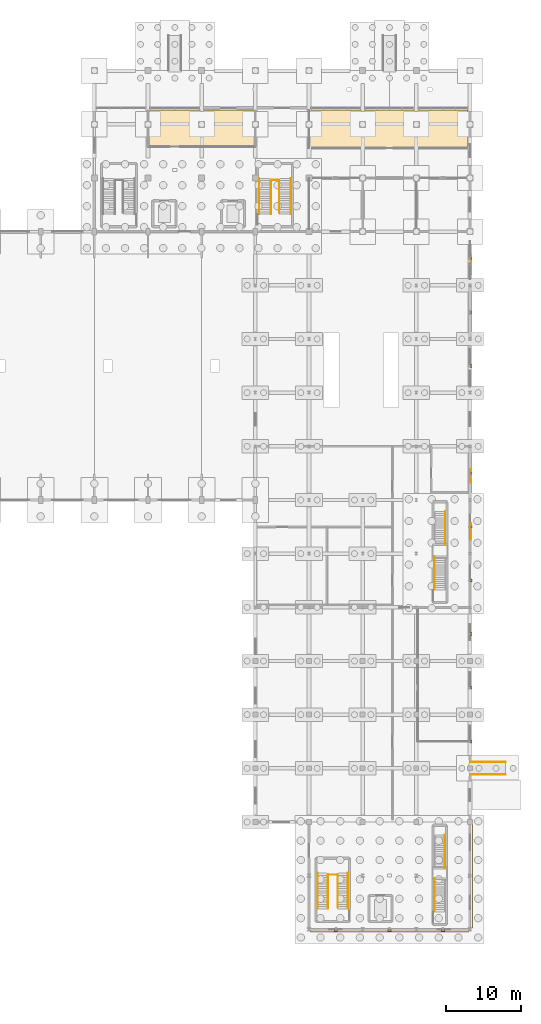
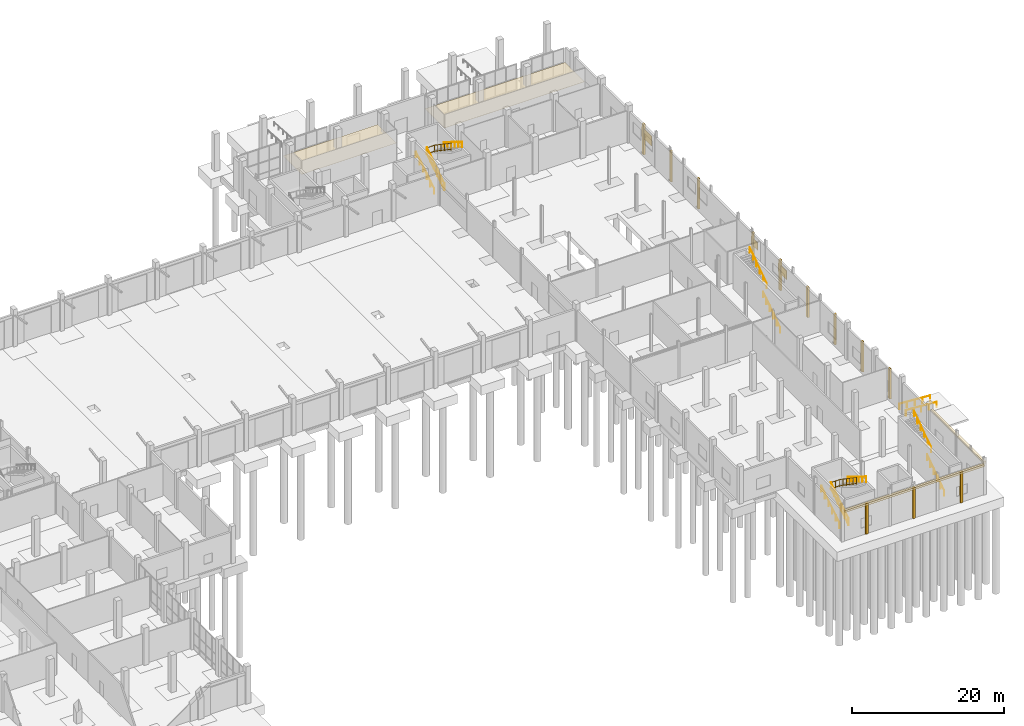
# One storey, part 43 of 45: 16 coverings, 16 railings, 3 shading devices.
"""IFC4 building model written with IfcOpenShell, lengths in metres."""

from ifc_helpers import new_model, si_unit, direction, frame, origin, origin_2d, place, context, subcontext, project, spatial, polyline, rectangle, circle, outline, extrude, material, layer, layer_set, type_object, element, save


model = new_model("IFC4")

# Units and contexts
model_context = context("Model", 3, precision=1e-05, world=origin(), true_north=direction((0.0, 1.0)))
body_context = subcontext(model_context, "Body", "Model", "MODEL_VIEW")
ifc_project = project(units=[si_unit("LENGTHUNIT", "METRE"), si_unit("AREAUNIT", "SQUARE_METRE"), si_unit("VOLUMEUNIT", "CUBIC_METRE"), si_unit("PLANEANGLEUNIT", "RADIAN"), si_unit("MASSUNIT", "GRAM", prefix="KILO")], contexts=[model_context])

# Site, building, storey
site_placement = place(None, origin())
site = spatial("IfcSite", under=ifc_project, at=site_placement, CompositionType="ELEMENT")
building_placement = place(site_placement, origin())
building = spatial("IfcBuilding", under=site, at=building_placement, Name="Yarey Park Central Fire Station", CompositionType="ELEMENT")
storey_placement = place(building_placement, origin())
storey = spatial("IfcBuildingStorey", under=building, at=storey_placement, Name="L01", CompositionType="ELEMENT", Elevation=0.0)

# Coverings
ifc_material_1 = material(Name="Honed Coral-Limestone Cladding", Category="masonry")
ifc_layer_1 = layer(ifc_material_1, 0.044921875)
ifc_layer_set_1 = layer_set([ifc_layer_1], Name="Honed Coral-Limestone Cladding")
covering_type_1 = type_object("IfcCoveringType", Name="ENV_COV_CLAD_1", PredefinedType="CLADDING", material=ifc_layer_set_1)
covering_1_placement = place(storey_placement, frame((165.780029296875, 7.199951171875, 4.7001953125), z_axis=(0.0, 0.0, 1.0), x_axis=(0.0, 1.0, 0.0)))
element("IfcCovering", 1, at=covering_1_placement, inside=storey, type_object=covering_type_1, Name="FIN_L01_DTE_HOOD", PredefinedType="CLADDING", context=body_context, shape_type="SweptSolid", body=[
    extrude(rectangle(XDim=14.0, YDim=0.360107421875, at=origin_2d()), origin(), (0.0, 0.0, 1.0), 0.340087890625),
])
covering_2_placement = place(storey_placement, frame((154.800048828125, -0.179931640625, 4.7001953125), z_axis=(0.0, 0.0, 1.0), x_axis=(1.0, 0.0, 0.0)))
element("IfcCovering", 2, at=covering_2_placement, inside=storey, type_object=covering_type_1, Name="FIN_L01_DTS_HOOD", PredefinedType="CLADDING", context=body_context, shape_type="SweptSolid", body=[
    extrude(rectangle(XDim=21.199951171875, YDim=0.360107421875, at=origin_2d()), origin(), (0.0, 0.0, 1.0), 0.340087890625),
])
ifc_layer_2 = layer(ifc_material_1, 0.06005859375)
ifc_layer_set_2 = layer_set([ifc_layer_2], Name="Honed Coral-Limestone Cladding")
covering_type_2 = type_object("IfcCoveringType", Name="ENV_COV_CLAD_2", PredefinedType="CLADDING", material=ifc_layer_set_2)
for number, where, z_axis, x_axis, name in (
    (3, (165.760009765625, 25.199951171875, 0.050048828125), (0.0, 0.0, 1.0), (0.0, 1.0, 0.0), "FIN_L01_EAST_PIL_01"),
    (4, (165.760009765625, 32.39990234375, 0.050048828125), (0.0, 0.0, 1.0), (0.0, 1.0, 0.0), "FIN_L01_EAST_PIL_02"),
    (5, (165.760009765625, 39.60009765625, 0.050048828125), (0.0, 0.0, 1.0), (0.0, 1.0, 0.0), "FIN_L01_EAST_PIL_03"),
    (6, (165.760009765625, 46.800048828125, 0.050048828125), (0.0, 0.0, 1.0), (0.0, 1.0, 0.0), "FIN_L01_EAST_PIL_04"),
    (7, (165.760009765625, 54.0, 0.050048828125), (0.0, 0.0, 1.0), (0.0, 1.0, 0.0), "FIN_L01_EAST_PIL_05"),
    (8, (165.760009765625, 61.199951171875, 0.050048828125), (0.0, 0.0, 1.0), (0.0, 1.0, 0.0), "FIN_L01_EAST_PIL_06"),
    (9, (165.760009765625, 75.60009765625, 0.050048828125), (0.0, 0.0, 1.0), (0.0, 1.0, 0.0), "FIN_L01_EAST_PIL_07"),
    (10, (165.760009765625, 82.800048828125, 0.050048828125), (0.0, 0.0, 1.0), (0.0, 1.0, 0.0), "FIN_L01_EAST_PIL_08"),
    (11, (165.760009765625, 90.0, 0.050048828125), (0.0, 0.0, 1.0), (0.0, 1.0, 0.0), "FIN_L01_EAST_PIL_09"),
):
    element("IfcCovering", number, at=place(storey_placement, frame(where, z_axis=z_axis, x_axis=x_axis)), inside=storey, type_object=covering_type_2, Name=name, PredefinedType="CLADDING", context=body_context, shape_type="SweptSolid", body=[
        extrude(rectangle(XDim=0.3798828125, YDim=0.280029296875, at=origin_2d()), origin(), (0.0, 0.0, 1.0), 4.89990234375),
    ])
for number, where, z_axis, x_axis, name in (
    (12, (147.60009765625, -0.159912109375, 0.0498046875), (0.0, 0.0, 1.0), (1.0, 0.0, 0.0), "FIN_L01_DTS_PIL_1"),
    (13, (154.800048828125, -0.159912109375, 0.0498046875), (0.0, 0.0, 1.0), (1.0, 0.0, 0.0), "FIN_L01_DTS_PIL_2"),
    (14, (162.0, -0.159912109375, 0.0498046875), (0.0, 0.0, 1.0), (1.0, 0.0, 0.0), "FIN_L01_DTS_PIL_3"),
):
    element("IfcCovering", number, at=place(storey_placement, frame(where, z_axis=z_axis, x_axis=x_axis)), inside=storey, type_object=covering_type_2, Name=name, PredefinedType="CLADDING", context=body_context, shape_type="SweptSolid", body=[
        extrude(rectangle(XDim=0.3798828125, YDim=0.280029296875, at=origin_2d()), origin(), (0.0, 0.0, 1.0), 4.949951171875),
    ])

# Railings
ifc_material_2 = material(Name="Stainless Steel AISI 316L", Category="steel")
railing_type_1 = type_object("IfcRailingType", Name="ENV_RAIL_RAMP", PredefinedType="HANDRAIL", material=ifc_material_2)
for number, where, name in (
    (15, (170.35009765625, 20.75, -0.300048828125), "RAIL_RAMP_06_L"),
    (16, (170.35009765625, 22.449951171875, -0.300048828125), "RAIL_RAMP_06_R"),
):
    element("IfcRailing", number, at=place(storey_placement, frame(where)), inside=storey, type_object=railing_type_1, Name=name, PredefinedType="HANDRAIL", context=body_context, shape_type="SweptSolid", body=[
        extrude(circle(Radius=0.02392578125, at=origin_2d()), frame((0.0, 0.0, 0.8759765625), z_axis=(-0.997968592041, 0.0, 0.063707843321), x_axis=(0.0, -1.0, 0.0)), (0.0, 0.0, 1.0), 4.709716796875),
        extrude(circle(Radius=0.02099609375, at=origin_2d()), origin(), (0.0, 0.0, 1.0), 0.851806640625),
        extrude(circle(Radius=0.02099609375, at=origin_2d()), frame((-1.175048828125, 0.0, 0.074951171875)), (0.0, 0.0, 1.0), 0.851806640625),
        extrude(circle(Radius=0.02099609375, at=origin_2d()), frame((-2.35009765625, 0.0, 0.14990234375)), (0.0, 0.0, 1.0), 0.851806640625),
        extrude(circle(Radius=0.02099609375, at=origin_2d()), frame((-3.525146484375, 0.0, 0.22509765625)), (0.0, 0.0, 1.0), 0.851806640625),
        extrude(circle(Radius=0.02099609375, at=origin_2d()), frame((-4.7001953125, 0.0, 0.300048828125)), (0.0, 0.0, 1.0), 0.851806640625),
    ])

# Shading devices
ifc_material_3 = material(Name="Anodized Aluminium Hurricane Louvre", Category="aluminium")
ifc_layer_3 = layer(ifc_material_3, 0.074951171875)
ifc_layer_set_3 = layer_set([ifc_layer_3], Name="Anodized Aluminium Hurricane Louvre")
shading_device_type_1 = type_object("IfcShadingDeviceType", Name="ENV_SHD_LVR_1", PredefinedType="JALOUSIE", material=ifc_layer_set_3)
shading_device_1_placement = place(storey_placement, frame((165.760009765625, 53.39990234375, 2.699951171875), z_axis=(0.0, 0.0, 1.0), x_axis=(0.0, 1.0, 0.0)))
element("IfcShadingDevice", 17, at=shading_device_1_placement, inside=storey, type_object=shading_device_type_1, Name="LVR_V5_E_1", PredefinedType="JALOUSIE", context=body_context, shape_type="SweptSolid", body=[
    extrude(rectangle(XDim=2.199951171875, YDim=0.074951171875, at=origin_2d()), origin(), (0.0, 0.0, 1.0), 1.39990234375),
])
ifc_layer_4 = layer(ifc_material_3, 0.074951171875)
ifc_layer_set_4 = layer_set([ifc_layer_4], Name="Anodized Aluminium Hurricane Louvre")
shading_device_type_2 = type_object("IfcShadingDeviceType", Name="ENV_SHD_LVR_2", PredefinedType="JALOUSIE", material=ifc_layer_set_4)
shading_device_2_placement = place(storey_placement, frame((165.760009765625, 60.800048828125, 2.7998046875), z_axis=(0.0, 0.0, 1.0), x_axis=(0.0, 1.0, 0.0)))
element("IfcShadingDevice", 18, at=shading_device_2_placement, inside=storey, type_object=shading_device_type_2, Name="LVR_V5_E_2", PredefinedType="JALOUSIE", context=body_context, shape_type="SweptSolid", body=[
    extrude(rectangle(XDim=1.800048828125, YDim=0.074951171875, at=origin_2d()), origin(), (0.0, 0.0, 1.0), 1.199951171875),
])
ifc_layer_5 = layer(ifc_material_3, 0.074951171875)
ifc_layer_set_5 = layer_set([ifc_layer_5], Name="Anodized Aluminium Hurricane Louvre")
shading_device_type_3 = type_object("IfcShadingDeviceType", Name="ENV_SHD_LVR_3", PredefinedType="JALOUSIE", material=ifc_layer_set_5)
shading_device_3_placement = place(storey_placement, frame((165.760009765625, 89.199951171875, 2.599853515625), z_axis=(0.0, 0.0, 1.0), x_axis=(0.0, 1.0, 0.0)))
element("IfcShadingDevice", 19, at=shading_device_3_placement, inside=storey, type_object=shading_device_type_3, Name="LVR_V5_E_3", PredefinedType="JALOUSIE", context=body_context, shape_type="SweptSolid", body=[
    extrude(rectangle(XDim=2.60009765625, YDim=0.074951171875, at=origin_2d()), origin(), (0.0, 0.0, 1.0), 1.60009765625),
])

# Coverings
ifc_material_4 = material(Name="Acoustic Mineral Fibre Tile", Category="finish")
ifc_layer_6 = layer(ifc_material_4, 0.02001953125)
ifc_layer_set_6 = layer_set([ifc_layer_6], Name="Acoustic Mineral Fibre Tile")
covering_type_3 = type_object("IfcCoveringType", Name="INT_CEIL_ACT_1", PredefinedType="CEILING", material=ifc_layer_set_6)
covering_3_placement = place(storey_placement, frame((0.0, 0.0, 2.85009765625)))
element("IfcCovering", 20, at=covering_3_placement, inside=storey, type_object=covering_type_3, Name="CEIL_SPC_L01_PUBDESK", PredefinedType="CEILING", context=body_context, shape_type="SweptSolid", body=[
    extrude(outline(polyline([(122.389892578125, 104.989990234375), (136.81005859375, 104.989990234375), (136.81005859375, 109.909912109375), (122.389892578125, 109.909912109375), (122.389892578125, 104.989990234375)])), origin(), (0.0, 0.0, 1.0), 0.02001953125),
])
ifc_layer_7 = layer(ifc_material_4, 0.031982421875)
ifc_layer_set_7 = layer_set([ifc_layer_7], Name="Acoustic Mineral Fibre Tile")
covering_type_4 = type_object("IfcCoveringType", Name="INT_CEIL_ACT_2", PredefinedType="CEILING", material=ifc_layer_set_7)
covering_4_placement = place(storey_placement, frame((0.0, 0.0, 2.85009765625)))
element("IfcCovering", 21, at=covering_4_placement, inside=storey, type_object=covering_type_4, Name="CEIL_SPC_L01_RECORDS", PredefinedType="CEILING", context=body_context, shape_type="SweptSolid", body=[
    extrude(outline(polyline([(143.989990234375, 104.7900390625), (165.31005859375, 104.7900390625), (165.31005859375, 109.909912109375), (143.989990234375, 109.909912109375), (143.989990234375, 104.7900390625)])), origin(), (0.0, 0.0, 1.0), 0.031982421875),
])

# Railings
ifc_material_5 = material(Name="Galvanized Steel Balustrade", Category="steel")
railing_type_2 = type_object("IfcRailingType", Name="INT_RAIL_GUARD112", PredefinedType="BALUSTRADE", material=ifc_material_5)
railing_1_placement = place(storey_placement, frame((138.89990234375, 95.949951171875, 0.0)))
element("IfcRailing", 22, at=railing_1_placement, inside=storey, type_object=railing_type_2, Name="GRD_C2_L01_F1", PredefinedType="BALUSTRADE", context=body_context, shape_type="SweptSolid", body=[
    extrude(circle(Radius=0.02392578125, at=origin_2d()), frame((0.0, 0.0, 1.09619140625), z_axis=(0.0, 0.837615903066, 0.546259644245), x_axis=(-1.0, 0.0, 0.0)), (0.0, 0.0, 1.0), 5.491943359375),
    extrude(circle(Radius=0.02392578125, at=origin_2d()), frame((0.0, 0.0, 0.1201171875), z_axis=(0.0, 0.837615903066, 0.546259644245), x_axis=(-1.0, 0.0, 0.0)), (0.0, 0.0, 1.0), 5.491943359375),
    extrude(circle(Radius=0.02099609375, at=origin_2d()), origin(), (0.0, 0.0, 1.0), 1.072021484375),
    extrude(circle(Radius=0.02099609375, at=origin_2d()), frame((0.0, 0.919921875, 0.60009765625)), (0.0, 0.0, 1.0), 1.072021484375),
    extrude(circle(Radius=0.02099609375, at=origin_2d()), frame((0.0, 1.840087890625, 1.199951171875)), (0.0, 0.0, 1.0), 1.072021484375),
    extrude(circle(Radius=0.02099609375, at=origin_2d()), frame((0.0, 2.760009765625, 1.800048828125)), (0.0, 0.0, 1.0), 1.072021484375),
    extrude(circle(Radius=0.02099609375, at=origin_2d()), frame((0.0, 3.68017578125, 2.39990234375)), (0.0, 0.0, 1.0), 1.072021484375),
    extrude(circle(Radius=0.02099609375, at=origin_2d()), frame((0.0, 4.60009765625, 3.0)), (0.0, 0.0, 1.0), 1.072021484375),
])
railing_2_placement = place(storey_placement, frame((140.0, 100.550048828125, 3.0)))
element("IfcRailing", 23, at=railing_2_placement, inside=storey, type_object=railing_type_2, Name="GRD_C2_L01_F2", PredefinedType="BALUSTRADE", context=body_context, shape_type="SweptSolid", body=[
    extrude(circle(Radius=0.02392578125, at=origin_2d()), frame((0.0, 0.0, 1.09619140625), z_axis=(0.0, -0.826236071711, 0.563324022037), x_axis=(1.0, 0.0, 0.0)), (0.0, 0.0, 1.0), 5.325439453125),
    extrude(circle(Radius=0.02392578125, at=origin_2d()), frame((0.0, 0.0, 0.1201171875), z_axis=(0.0, -0.826236071711, 0.563324022037), x_axis=(1.0, 0.0, 0.0)), (0.0, 0.0, 1.0), 5.325439453125),
    extrude(circle(Radius=0.02099609375, at=origin_2d()), origin(), (0.0, 0.0, 1.0), 1.072021484375),
    extrude(circle(Radius=0.02099609375, at=origin_2d()), frame((0.0, -0.880126953125, 0.60009765625)), (0.0, 0.0, 1.0), 1.072021484375),
    extrude(circle(Radius=0.02099609375, at=origin_2d()), frame((0.0, -1.760009765625, 1.199951171875)), (0.0, 0.0, 1.0), 1.072021484375),
    extrude(circle(Radius=0.02099609375, at=origin_2d()), frame((0.0, -2.64013671875, 1.800048828125)), (0.0, 0.0, 1.0), 1.072021484375),
    extrude(circle(Radius=0.02099609375, at=origin_2d()), frame((0.0, -3.52001953125, 2.39990234375)), (0.0, 0.0, 1.0), 1.072021484375),
    extrude(circle(Radius=0.02099609375, at=origin_2d()), frame((0.0, -4.400146484375, 3.0)), (0.0, 0.0, 1.0), 1.072021484375),
])
railing_3_placement = place(storey_placement, frame((138.89990234375, 100.530029296875, 3.0)))
element("IfcRailing", 24, at=railing_3_placement, inside=storey, type_object=railing_type_2, Name="GRD_C2_L01_SLOT_MID", PredefinedType="BALUSTRADE", context=body_context, shape_type="SweptSolid", body=[
    extrude(circle(Radius=0.02392578125, at=origin_2d()), frame((0.0, 0.0, 1.09619140625), z_axis=(1.0, 0.0, 0.0), x_axis=(0.0, 1.0, 0.0)), (0.0, 0.0, 1.0), 1.10009765625),
    extrude(circle(Radius=0.02392578125, at=origin_2d()), frame((0.0, 0.0, 0.1201171875), z_axis=(1.0, 0.0, 0.0), x_axis=(0.0, 1.0, 0.0)), (0.0, 0.0, 1.0), 1.10009765625),
    extrude(circle(Radius=0.02099609375, at=origin_2d()), origin(), (0.0, 0.0, 1.0), 1.072021484375),
    extrude(circle(Radius=0.02099609375, at=origin_2d()), frame((1.10009765625, 0.0, 0.0)), (0.0, 0.0, 1.0), 1.072021484375),
])
railing_4_placement = place(storey_placement, frame((146.550048828125, 2.75, 0.0)))
element("IfcRailing", 25, at=railing_4_placement, inside=storey, type_object=railing_type_2, Name="GRD_C5_L01_F1", PredefinedType="BALUSTRADE", context=body_context, shape_type="SweptSolid", body=[
    extrude(circle(Radius=0.02392578125, at=origin_2d()), frame((0.0, 0.0, 1.09619140625), z_axis=(0.0, 0.837615903066, 0.546259644245), x_axis=(-1.0, 0.0, 0.0)), (0.0, 0.0, 1.0), 5.491943359375),
    extrude(circle(Radius=0.02392578125, at=origin_2d()), frame((0.0, 0.0, 0.1201171875), z_axis=(0.0, 0.837615903066, 0.546259644245), x_axis=(-1.0, 0.0, 0.0)), (0.0, 0.0, 1.0), 5.491943359375),
    extrude(circle(Radius=0.02099609375, at=origin_2d()), origin(), (0.0, 0.0, 1.0), 1.072021484375),
    extrude(circle(Radius=0.02099609375, at=origin_2d()), frame((0.0, 0.919921875, 0.60009765625)), (0.0, 0.0, 1.0), 1.072021484375),
    extrude(circle(Radius=0.02099609375, at=origin_2d()), frame((0.0, 1.840087890625, 1.199951171875)), (0.0, 0.0, 1.0), 1.072021484375),
    extrude(circle(Radius=0.02099609375, at=origin_2d()), frame((0.0, 2.760009765625, 1.800048828125)), (0.0, 0.0, 1.0), 1.072021484375),
    extrude(circle(Radius=0.02099609375, at=origin_2d()), frame((0.0, 3.68017578125, 2.39990234375)), (0.0, 0.0, 1.0), 1.072021484375),
    extrude(circle(Radius=0.02099609375, at=origin_2d()), frame((0.0, 4.60009765625, 3.0)), (0.0, 0.0, 1.0), 1.072021484375),
])
railing_5_placement = place(storey_placement, frame((147.85009765625, 7.35009765625, 3.0)))
element("IfcRailing", 26, at=railing_5_placement, inside=storey, type_object=railing_type_2, Name="GRD_C5_L01_F2", PredefinedType="BALUSTRADE", context=body_context, shape_type="SweptSolid", body=[
    extrude(circle(Radius=0.02392578125, at=origin_2d()), frame((0.0, 0.0, 1.09619140625), z_axis=(0.0, -0.826236071711, 0.563324022037), x_axis=(1.0, 0.0, 0.0)), (0.0, 0.0, 1.0), 5.325439453125),
    extrude(circle(Radius=0.02392578125, at=origin_2d()), frame((0.0, 0.0, 0.1201171875), z_axis=(0.0, -0.826236071711, 0.563324022037), x_axis=(1.0, 0.0, 0.0)), (0.0, 0.0, 1.0), 5.325439453125),
    extrude(circle(Radius=0.02099609375, at=origin_2d()), origin(), (0.0, 0.0, 1.0), 1.072021484375),
    extrude(circle(Radius=0.02099609375, at=origin_2d()), frame((0.0, -0.880126953125, 0.60009765625)), (0.0, 0.0, 1.0), 1.072021484375),
    extrude(circle(Radius=0.02099609375, at=origin_2d()), frame((0.0, -1.760009765625, 1.199951171875)), (0.0, 0.0, 1.0), 1.072021484375),
    extrude(circle(Radius=0.02099609375, at=origin_2d()), frame((0.0, -2.64013671875, 1.800048828125)), (0.0, 0.0, 1.0), 1.072021484375),
    extrude(circle(Radius=0.02099609375, at=origin_2d()), frame((0.0, -3.52001953125, 2.39990234375)), (0.0, 0.0, 1.0), 1.072021484375),
    extrude(circle(Radius=0.02099609375, at=origin_2d()), frame((0.0, -4.400146484375, 3.0)), (0.0, 0.0, 1.0), 1.072021484375),
])
railing_6_placement = place(storey_placement, frame((146.550048828125, 7.330078125, 3.0)))
element("IfcRailing", 27, at=railing_6_placement, inside=storey, type_object=railing_type_2, Name="GRD_C5_L01_SLOT_MID", PredefinedType="BALUSTRADE", context=body_context, shape_type="SweptSolid", body=[
    extrude(circle(Radius=0.02392578125, at=origin_2d()), frame((0.0, 0.0, 1.09619140625), z_axis=(1.0, 0.0, 0.0), x_axis=(0.0, 1.0, 0.0)), (0.0, 0.0, 1.0), 1.300048828125),
    extrude(circle(Radius=0.02392578125, at=origin_2d()), frame((0.0, 0.0, 0.1201171875), z_axis=(1.0, 0.0, 0.0), x_axis=(0.0, 1.0, 0.0)), (0.0, 0.0, 1.0), 1.300048828125),
    extrude(circle(Radius=0.02099609375, at=origin_2d()), origin(), (0.0, 0.0, 1.0), 1.072021484375),
    extrude(circle(Radius=0.02099609375, at=origin_2d()), frame((0.64990234375, 0.0, 0.0)), (0.0, 0.0, 1.0), 1.072021484375),
    extrude(circle(Radius=0.02099609375, at=origin_2d()), frame((1.300048828125, 0.0, 0.0)), (0.0, 0.0, 1.0), 1.072021484375),
])
railing_type_3 = type_object("IfcRailingType", Name="INT_RAIL_HAND090", PredefinedType="HANDRAIL", material=ifc_material_2)
railing_7_placement = place(storey_placement, frame((137.330078125, 95.949951171875, 0.0)))
element("IfcRailing", 28, at=railing_7_placement, inside=storey, type_object=railing_type_3, Name="HR_C2_L01_F1", PredefinedType="HANDRAIL", context=body_context, shape_type="SweptSolid", body=[
    extrude(circle(Radius=0.02392578125, at=origin_2d()), frame((0.0, 0.0, 0.8759765625), z_axis=(0.0, 0.848000727092, 0.529995063044), x_axis=(-1.0, 0.0, 0.0)), (0.0, 0.0, 1.0), 5.660400390625),
    extrude(circle(Radius=0.02099609375, at=origin_2d()), origin(), (0.0, 0.0, 1.0), 0.851806640625),
    extrude(circle(Radius=0.02099609375, at=origin_2d()), frame((0.0, 0.9599609375, 0.60009765625)), (0.0, 0.0, 1.0), 0.851806640625),
    extrude(circle(Radius=0.02099609375, at=origin_2d()), frame((0.0, 1.919921875, 1.199951171875)), (0.0, 0.0, 1.0), 0.851806640625),
    extrude(circle(Radius=0.02099609375, at=origin_2d()), frame((0.0, 2.880126953125, 1.800048828125)), (0.0, 0.0, 1.0), 0.851806640625),
    extrude(circle(Radius=0.02099609375, at=origin_2d()), frame((0.0, 3.840087890625, 2.39990234375)), (0.0, 0.0, 1.0), 0.851806640625),
    extrude(circle(Radius=0.02099609375, at=origin_2d()), frame((0.0, 4.800048828125, 3.0)), (0.0, 0.0, 1.0), 0.851806640625),
])
railing_8_placement = place(storey_placement, frame((141.570068359375, 100.75, 3.0)))
element("IfcRailing", 29, at=railing_8_placement, inside=storey, type_object=railing_type_3, Name="HR_C2_L01_F2", PredefinedType="HANDRAIL", context=body_context, shape_type="SweptSolid", body=[
    extrude(circle(Radius=0.02392578125, at=origin_2d()), frame((0.0, 0.0, 0.8759765625), z_axis=(0.0, -0.848000727092, 0.529995063044), x_axis=(1.0, 0.0, 0.0)), (0.0, 0.0, 1.0), 5.660400390625),
    extrude(circle(Radius=0.02099609375, at=origin_2d()), origin(), (0.0, 0.0, 1.0), 0.851806640625),
    extrude(circle(Radius=0.02099609375, at=origin_2d()), frame((0.0, -0.9599609375, 0.60009765625)), (0.0, 0.0, 1.0), 0.851806640625),
    extrude(circle(Radius=0.02099609375, at=origin_2d()), frame((0.0, -1.919921875, 1.199951171875)), (0.0, 0.0, 1.0), 0.851806640625),
    extrude(circle(Radius=0.02099609375, at=origin_2d()), frame((0.0, -2.880126953125, 1.800048828125)), (0.0, 0.0, 1.0), 0.851806640625),
    extrude(circle(Radius=0.02099609375, at=origin_2d()), frame((0.0, -3.840087890625, 2.39990234375)), (0.0, 0.0, 1.0), 0.851806640625),
    extrude(circle(Radius=0.02099609375, at=origin_2d()), frame((0.0, -4.800048828125, 3.0)), (0.0, 0.0, 1.0), 0.851806640625),
])
railing_9_placement = place(storey_placement, frame((145.179931640625, 2.75, 0.0)))
element("IfcRailing", 30, at=railing_9_placement, inside=storey, type_object=railing_type_3, Name="HR_C5_L01_F1", PredefinedType="HANDRAIL", context=body_context, shape_type="SweptSolid", body=[
    extrude(circle(Radius=0.02392578125, at=origin_2d()), frame((0.0, 0.0, 0.8759765625), z_axis=(0.0, 0.848000727092, 0.529995063044), x_axis=(-1.0, 0.0, 0.0)), (0.0, 0.0, 1.0), 5.660400390625),
    extrude(circle(Radius=0.02099609375, at=origin_2d()), origin(), (0.0, 0.0, 1.0), 0.851806640625),
    extrude(circle(Radius=0.02099609375, at=origin_2d()), frame((0.0, 0.9599609375, 0.60009765625)), (0.0, 0.0, 1.0), 0.851806640625),
    extrude(circle(Radius=0.02099609375, at=origin_2d()), frame((0.0, 1.919921875, 1.199951171875)), (0.0, 0.0, 1.0), 0.851806640625),
    extrude(circle(Radius=0.02099609375, at=origin_2d()), frame((0.0, 2.880126953125, 1.800048828125)), (0.0, 0.0, 1.0), 0.851806640625),
    extrude(circle(Radius=0.02099609375, at=origin_2d()), frame((0.0, 3.840087890625, 2.39990234375)), (0.0, 0.0, 1.0), 0.851806640625),
    extrude(circle(Radius=0.02099609375, at=origin_2d()), frame((0.0, 4.800048828125, 3.0)), (0.0, 0.0, 1.0), 0.851806640625),
])
railing_10_placement = place(storey_placement, frame((149.219970703125, 7.550048828125, 3.0)))
element("IfcRailing", 31, at=railing_10_placement, inside=storey, type_object=railing_type_3, Name="HR_C5_L01_F2", PredefinedType="HANDRAIL", context=body_context, shape_type="SweptSolid", body=[
    extrude(circle(Radius=0.02392578125, at=origin_2d()), frame((0.0, 0.0, 0.8759765625), z_axis=(0.0, -0.848000727092, 0.529995063044), x_axis=(1.0, 0.0, 0.0)), (0.0, 0.0, 1.0), 5.660400390625),
    extrude(circle(Radius=0.02099609375, at=origin_2d()), origin(), (0.0, 0.0, 1.0), 0.851806640625),
    extrude(circle(Radius=0.02099609375, at=origin_2d()), frame((0.0, -0.9599609375, 0.60009765625)), (0.0, 0.0, 1.0), 0.851806640625),
    extrude(circle(Radius=0.02099609375, at=origin_2d()), frame((0.0, -1.919921875, 1.199951171875)), (0.0, 0.0, 1.0), 0.851806640625),
    extrude(circle(Radius=0.02099609375, at=origin_2d()), frame((0.0, -2.880126953125, 1.800048828125)), (0.0, 0.0, 1.0), 0.851806640625),
    extrude(circle(Radius=0.02099609375, at=origin_2d()), frame((0.0, -3.840087890625, 2.39990234375)), (0.0, 0.0, 1.0), 0.851806640625),
    extrude(circle(Radius=0.02099609375, at=origin_2d()), frame((0.0, -4.800048828125, 3.0)), (0.0, 0.0, 1.0), 0.851806640625),
])
for number, where, name in (
    (32, (160.860107421875, 2.35009765625, 0.0), "HR_C6_L01_L"),
    (33, (162.239990234375, 8.169921875, 3.0), "HR_C6_L01_R"),
    (34, (160.860107421875, 45.550048828125, 0.0), "HR_C7_L01_L"),
    (35, (162.2900390625, 51.570068359375, 3.0), "HR_C7_L01_R"),
):
    element("IfcRailing", number, at=place(storey_placement, frame(where)), inside=storey, type_object=railing_type_3, Name=name, PredefinedType="HANDRAIL", context=body_context, shape_type="SweptSolid", body=[
        extrude(circle(Radius=0.02392578125, at=origin_2d()), frame((0.0, 0.0, 0.8759765625), z_axis=(0.0, 0.830906055479, 0.556412730775), x_axis=(-1.0, 0.0, 0.0)), (0.0, 0.0, 1.0), 5.3916015625),
        extrude(circle(Radius=0.02099609375, at=origin_2d()), origin(), (0.0, 0.0, 1.0), 0.851806640625),
        extrude(circle(Radius=0.02099609375, at=origin_2d()), frame((0.0, 0.89599609375, 0.60009765625)), (0.0, 0.0, 1.0), 0.851806640625),
        extrude(circle(Radius=0.02099609375, at=origin_2d()), frame((0.0, 1.7919921875, 1.199951171875)), (0.0, 0.0, 1.0), 0.851806640625),
        extrude(circle(Radius=0.02099609375, at=origin_2d()), frame((0.0, 2.68798828125, 1.800048828125)), (0.0, 0.0, 1.0), 0.851806640625),
        extrude(circle(Radius=0.02099609375, at=origin_2d()), frame((0.0, 3.583984375, 2.39990234375)), (0.0, 0.0, 1.0), 0.851806640625),
        extrude(circle(Radius=0.02099609375, at=origin_2d()), frame((0.0, 4.47998046875, 3.0)), (0.0, 0.0, 1.0), 0.851806640625),
    ])

save(model, "model.ifc")
